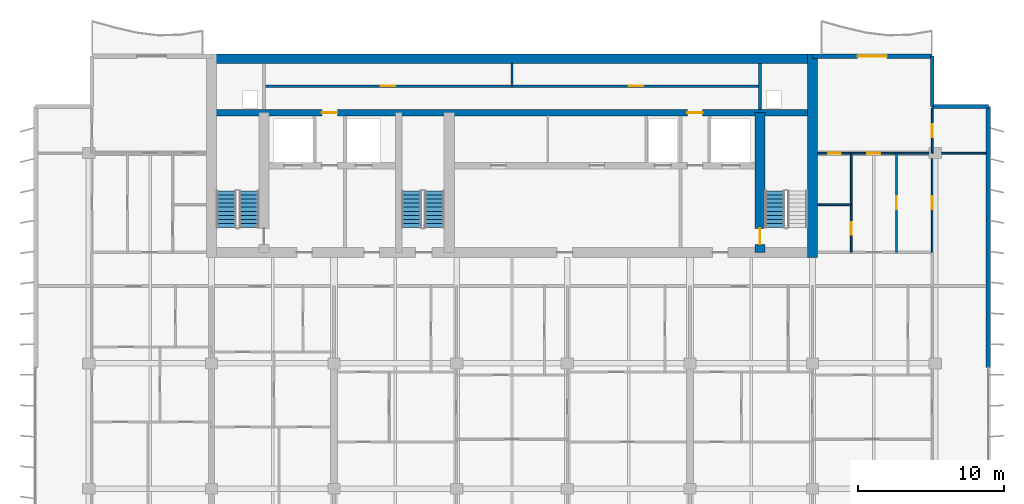
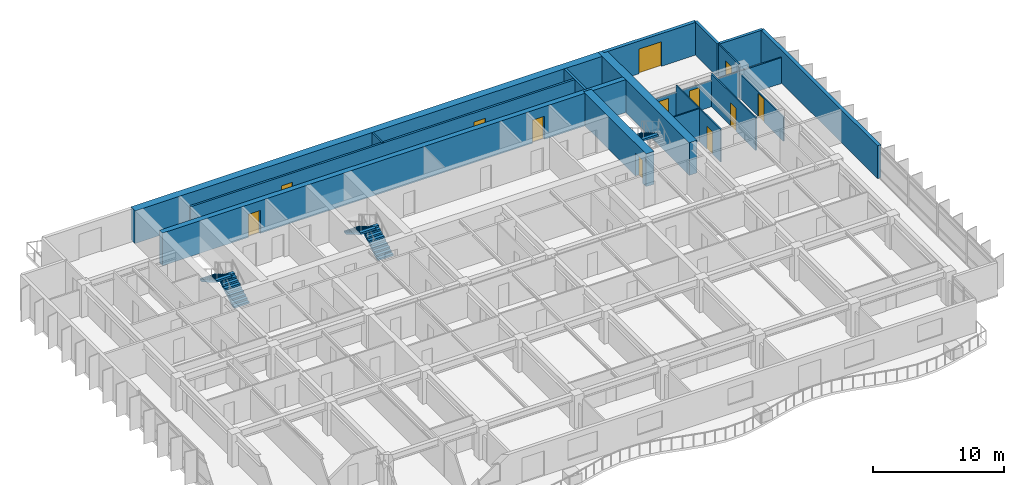
# One storey, part 11 of 16: 17 walls, 12 doors, 5 stair flights, 12 openings, 3 elements without a shape of their own.
"""IFC4 building model written with IfcOpenShell, lengths in metres."""

import ifcopenshell
import ifcopenshell.guid

model = None  # the IFC model being written
_history = None  # IfcOwnerHistory: only IFC2X3 demands one
_inside = {}  # id of a spatial element -> (the spatial element, [elements in it])
_under = {}  # id of a project, library or spatial element -> (it, [spatial elements below it])
_declared = {}  # id of a project -> (the project, [libraries it declares])
_typed = {}  # id of a type object -> (the type object, [elements of that type])
_made_of = {}  # id of a material, layer set ... -> (it, [elements and type objects made of it])


def new_model(schema):
    """Start an empty IFC model of exactly this schema.

    Asked for "IFC4X3", IfcOpenShell would pick the latest addendum, in which some entities
    have other attributes; the version numbers below select the first issue.
    IFC2X3 requires an IfcOwnerHistory on every rooted entity: one is made here for all.
    """
    global model, _history
    if schema == "IFC4X3":
        model = ifcopenshell.file(schema_version=(4, 3, 0, 0))
    else:
        model = ifcopenshell.file(schema=schema)
    _inside.clear()
    _under.clear()
    _declared.clear()
    _typed.clear()
    _made_of.clear()
    _history = None
    if model.schema == "IFC2X3":
        org = make("IfcOrganization", Name="unknown")
        user = make(
            "IfcPersonAndOrganization",
            ThePerson=make("IfcPerson", FamilyName="unknown"),
            TheOrganization=org,
        )
        app = make(
            "IfcApplication",
            ApplicationDeveloper=org,
            Version="unknown",
            ApplicationFullName="unknown",
            ApplicationIdentifier="unknown",
        )
        _history = make(
            "IfcOwnerHistory",
            OwningUser=user,
            OwningApplication=app,
            ChangeAction="ADDED",
            CreationDate=0,
        )
    return model


def make(cls, **values):
    """One entity of the class cls with the attributes given. An attribute that is None is left unset."""
    return model.create_entity(
        cls, **{name: value for name, value in values.items() if value is not None}
    )


def rooted(cls, **values):
    """An entity with a GlobalId (a new one), such as an element, a storey or a relation."""
    return make(cls, GlobalId=ifcopenshell.guid.new(), OwnerHistory=_history, **values)


def si_unit(unit_type, name, prefix=None):
    """IfcSIUnit, for example si_unit("LENGTHUNIT", "METRE", prefix="MILLI")."""
    return make("IfcSIUnit", UnitType=unit_type, Prefix=prefix, Name=name)


def assignment(units):
    """IfcUnitAssignment: the units of a project."""
    return None if units is None else make("IfcUnitAssignment", Units=units)


def point(xyz):
    """IfcCartesianPoint."""
    return None if xyz is None else make("IfcCartesianPoint", Coordinates=xyz)


def direction(xyz):
    """IfcDirection."""
    return None if xyz is None else make("IfcDirection", DirectionRatios=xyz)


def frame(location, z_axis=None, x_axis=None):
    """IfcAxis2Placement3D, a coordinate frame: its origin and axes. An axis left out is left unset."""
    return make(
        "IfcAxis2Placement3D",
        Location=point(location),
        Axis=direction(z_axis),
        RefDirection=direction(x_axis),
    )


def frame_2d(location, x_axis=None):
    """IfcAxis2Placement2D, a coordinate frame in the plane: its origin and x axis."""
    return make(
        "IfcAxis2Placement2D", Location=point(location), RefDirection=direction(x_axis)
    )


def origin():
    """The frame at (0, 0, 0) with its axes left unset."""
    return frame((0.0, 0.0, 0.0))


def place(relative_to, where):
    """IfcLocalPlacement: puts the frame where relative to a parent placement (None: the world)."""
    return make(
        "IfcLocalPlacement", PlacementRelTo=relative_to, RelativePlacement=where
    )


def context(
    kind, dimensions, precision=None, world=None, true_north=None, identifier=None
):
    """IfcGeometricRepresentationContext, for example the 3D "Model" context."""
    return make(
        "IfcGeometricRepresentationContext",
        ContextIdentifier=identifier,
        ContextType=kind,
        CoordinateSpaceDimension=dimensions,
        Precision=precision,
        WorldCoordinateSystem=world,
        TrueNorth=true_north,
    )


def subcontext(parent, identifier, kind, view, scale=None):
    """IfcGeometricRepresentationSubContext, for example "Body" below "Model"."""
    return make(
        "IfcGeometricRepresentationSubContext",
        ContextIdentifier=identifier,
        ContextType=kind,
        ParentContext=parent,
        TargetScale=scale,
        TargetView=view,
    )


def project(units=None, contexts=None):
    """IfcProject with its units and contexts."""
    return rooted(
        "IfcProject",
        Name="project",
        RepresentationContexts=contexts,
        UnitsInContext=assignment(units),
    )


def spatial(cls, under=None, at=None, **own):
    """A site, building, storey or space (cls), placed at a placement, below another one or the project."""
    s = rooted(cls, ObjectPlacement=at, **own)
    if under is not None:
        _under.setdefault(under.id(), (under, []))[1].append(s)
    return s


def polyline(points):
    """IfcPolyline through the points."""
    return make("IfcPolyline", Points=[point(p) for p in points])


def profile(cls, at=None, kind="AREA", **sizes):
    """A parametric profile (cls). Its sizes go by their IFC names, for example OverallWidth=200.0."""
    return make(cls, ProfileType=kind, Position=at, **sizes)


def rectangle(**sizes):
    """IfcRectangleProfileDef."""
    return profile("IfcRectangleProfileDef", **sizes)


def outline(outer, holes=None, kind="AREA"):
    """IfcArbitraryClosedProfileDef: a profile drawn as a closed curve; with holes, ...WithVoids."""
    if holes is None:
        return make("IfcArbitraryClosedProfileDef", ProfileType=kind, OuterCurve=outer)
    return make(
        "IfcArbitraryProfileDefWithVoids",
        ProfileType=kind,
        OuterCurve=outer,
        InnerCurves=holes,
    )


def extrude(swept, where, along, depth):
    """IfcExtrudedAreaSolid: the profile swept, set in the frame where, extruded along a direction by depth."""
    return make(
        "IfcExtrudedAreaSolid",
        SweptArea=swept,
        Position=where,
        ExtrudedDirection=direction(along),
        Depth=depth,
    )


def shape(context_of_items, identifier, shape_type, items):
    """IfcShapeRepresentation: the items that make up one representation, for example the "Body"."""
    return make(
        "IfcShapeRepresentation",
        ContextOfItems=context_of_items,
        RepresentationIdentifier=identifier,
        RepresentationType=shape_type,
        Items=items,
    )


def material(Name=None, Category=None):
    """IfcMaterial."""
    return make("IfcMaterial", Name=Name, Category=Category)


def layer(
    of_material, thickness, ventilated=None, Name=None, Category=None, Priority=None
):
    """IfcMaterialLayer: one layer of a wall or slab, of a material (None: an air gap)."""
    return make(
        "IfcMaterialLayer",
        Material=of_material,
        LayerThickness=thickness,
        IsVentilated=ventilated,
        Name=Name,
        Category=Category,
        Priority=Priority,
    )


def layer_set(layers, Name=None):
    """IfcMaterialLayerSet."""
    return make("IfcMaterialLayerSet", MaterialLayers=layers, LayerSetName=Name)


def made_of(thing, what):
    """Note that an element or type object is made of a material, layer set ...; save() writes the relation."""
    if what is not None:
        _made_of.setdefault(what.id(), (what, []))[1].append(thing)
    return thing


def type_object(cls, material=None, **own):
    """A type object (cls), such as IfcWallType, which elements share."""
    return made_of(rooted(cls, **own), material)


def element(
    cls,
    number,
    at=None,
    inside=None,
    cuts=None,
    type_object=None,
    material=None,
    context=None,
    identifier="Body",
    shape_type=None,
    held_by="IfcProductDefinitionShape",
    body=None,
    shapes=None,
    **own,
):
    """One element of the class cls, such as IfcWall. Its Tag is "e" and its number.

    at: its placement. inside: the storey or other place that contains it. cuts: it is an
    opening in that element (IfcRelVoidsElement). A single representation is given by context,
    identifier, shape_type and body (its items); several are given by shapes. held_by: the class
    of the entity that holds the representations. save() writes the other relations.
    """
    e = rooted(cls, Tag="e%d" % number, ObjectPlacement=at, **own)
    if body is not None:
        shapes = [shape(context, identifier, shape_type, body)]
    if shapes is not None:
        e.Representation = make(held_by, Representations=shapes)
    if inside is not None:
        _inside.setdefault(inside.id(), (inside, []))[1].append(e)
    if cuts is not None:
        rooted(
            "IfcRelVoidsElement", RelatingBuildingElement=cuts, RelatedOpeningElement=e
        )
    if type_object is not None:
        _typed.setdefault(type_object.id(), (type_object, []))[1].append(e)
    return made_of(e, material)


def fill(opening, filler):
    """IfcRelFillsElement: the door or window that sits in an opening."""
    return rooted(
        "IfcRelFillsElement",
        RelatingOpeningElement=opening,
        RelatedBuildingElement=filler,
    )


def aggregate(whole, parts):
    """IfcRelAggregates: a whole, such as a stair, and the parts it consists of."""
    return rooted("IfcRelAggregates", RelatingObject=whole, RelatedObjects=parts)


def save(model, path):
    """Write the relations noted so far, then the file.

    IfcRelAggregates (storeys below a building ...), IfcRelContainedInSpatialStructure (elements
    in a storey), IfcRelDefinesByType, IfcRelAssociatesMaterial and IfcRelDeclares: one each for
    every whole, place, type object, material and project.
    """
    for whole, parts in _under.values():
        aggregate(whole, parts)
    for where, things in _inside.values():
        rooted(
            "IfcRelContainedInSpatialStructure",
            RelatedElements=things,
            RelatingStructure=where,
        )
    for kind, things in _typed.values():
        rooted("IfcRelDefinesByType", RelatedObjects=things, RelatingType=kind)
    for what, things in _made_of.values():
        rooted("IfcRelAssociatesMaterial", RelatedObjects=things, RelatingMaterial=what)
    for by, libraries in _declared.values():
        rooted("IfcRelDeclares", RelatingContext=by, RelatedDefinitions=libraries)
    model.write(path)


model = new_model("IFC4")

# Units and contexts
model_context = context("Model", 3, precision=1e-05, world=origin(), true_north=direction((0.0, 1.0)))
body_context = subcontext(model_context, "Body", "Model", "MODEL_VIEW")
ifc_project = project(units=[si_unit("LENGTHUNIT", "METRE"), si_unit("AREAUNIT", "SQUARE_METRE"), si_unit("VOLUMEUNIT", "CUBIC_METRE"), si_unit("PLANEANGLEUNIT", "RADIAN"), si_unit("MASSUNIT", "GRAM", prefix="KILO")], contexts=[model_context])

# Site, building, storey
site_placement = place(None, origin())
site = spatial("IfcSite", under=ifc_project, at=site_placement, CompositionType="ELEMENT")
building_placement = place(site_placement, origin())
building = spatial("IfcBuilding", under=site, at=building_placement, Name="Caelmar Bay Residences", CompositionType="ELEMENT")
storey_placement = place(building_placement, frame((0.0, 0.0, 198.300048828125)))
storey = spatial("IfcBuildingStorey", under=building, at=storey_placement, Name="L55", CompositionType="ELEMENT", Elevation=198.300048828125)

# Wall
ifc_material_1 = material(Name="Concrete f'c 55 MPa (8,000 psi)", Category="concrete")
ifc_layer_1 = layer(ifc_material_1, 0.699951171875)
ifc_layer_set_1 = layer_set([ifc_layer_1], Name="Concrete f'c 55 MPa (8,000 psi)")
wall_type_1 = type_object("IfcWallType", Name="SW-COR-700", PredefinedType="SHEAR", material=ifc_layer_set_1)
wall_1_placement = place(storey_placement, frame((59.5, 36.64990234375, 0.0), z_axis=(0.0, 0.0, 1.0), x_axis=(0.0, 1.0, 0.0)))
element("IfcWall", 1, at=wall_1_placement, inside=storey, type_object=wall_type_1, Name="L55 Rear Core East Shear Wall", PredefinedType="SHEAR", context=body_context, shape_type="SweptSolid", body=[
    extrude(rectangle(XDim=13.9501953125, YDim=0.699951171875, at=frame_2d((6.97509765625, 0.0))), origin(), (0.0, 0.0, 1.0), 3.050048828125),
])

# Wall, opening, door
wall_2_placement = place(storey_placement, frame((55.89990234375, 37.0, 0.0), z_axis=(0.0, 0.0, 1.0), x_axis=(0.0, 1.0, 0.0)))
wall_2 = element("IfcWall", 2, at=wall_2_placement, inside=storey, type_object=wall_type_1, Name="L55 Core Structural Web Wall ST2W", PredefinedType="SHEAR", context=body_context, shape_type="SweptSolid", body=[
    extrude(rectangle(XDim=9.574951171875, YDim=0.699951171875, at=frame_2d((4.78759765625, 0.0))), origin(), (0.0, 0.0, 1.0), 3.050048828125),
])
opening_1_placement = place(wall_2_placement, frame((0.550048828125, 0.0, 0.0)))
opening_1 = element("IfcOpeningElement", 3, at=opening_1_placement, cuts=wall_2, Name="Opening D-L55-110", PredefinedType="OPENING", context=body_context, shape_type="SweptSolid", body=[
    extrude(rectangle(XDim=1.10009765625, YDim=2.14990234375, at=frame_2d((0.550048828125, 1.074951171875))), frame((0.0, 0.35986328125, 0.0), z_axis=(0.0, -1.0, 0.0), x_axis=(1.0, 0.0, 0.0)), (0.0, 0.0, 1.0), 0.719970703125),
])
ifc_material_2 = material(Name="Fire-rated steel and walnut architectural door assembly", Category="steel")
ifc_layer_2 = layer(ifc_material_2, 0.050048828125)
ifc_layer_set_2 = layer_set([ifc_layer_2], Name="Fire-rated steel and walnut architectural door assembly")
door_type_1 = type_object("IfcDoorType", Name="D-STAIR-1100", OperationType="NOTDEFINED", PredefinedType="DOOR", material=ifc_layer_set_2)
door_1_placement = place(opening_1_placement, origin())
door_1 = element("IfcDoor", 4, at=door_1_placement, inside=storey, type_object=door_type_1, Name="L55 Firefighting Lobby East Door", OperationType="SINGLE_SWING_RIGHT", OverallHeight=2.14990234375, OverallWidth=1.10009765625, PredefinedType="DOOR", context=body_context, shape_type="SweptSolid", body=[
    extrude(rectangle(XDim=1.10009765625, YDim=2.14990234375, at=frame_2d((0.550048828125, 1.074951171875))), frame((0.0, 0.02490234375, 0.0), z_axis=(0.0, -1.0, 0.0), x_axis=(1.0, 0.0, 0.0)), (0.0, 0.0, 1.0), 0.050048828125),
])
fill(opening_1, door_1)

# Wall
ifc_layer_3 = layer(ifc_material_1, 0.64990234375)
ifc_layer_set_3 = layer_set([ifc_layer_3], Name="Concrete f'c 55 MPa (8,000 psi)")
wall_type_2 = type_object("IfcWallType", Name="SW-CORN-650", PredefinedType="SHEAR", material=ifc_layer_set_3)
wall_3_placement = place(storey_placement, frame((17.949951171875, 50.27490234375, 0.0), z_axis=(0.0, 0.0, 1.0), x_axis=(1.0, 0.0, 0.0)))
element("IfcWall", 5, at=wall_3_placement, inside=storey, type_object=wall_type_2, Name="L55 Rear Core North Shear Wall", PredefinedType="SHEAR", context=body_context, shape_type="SweptSolid", body=[
    extrude(rectangle(XDim=41.900146484375, YDim=0.64990234375, at=frame_2d((20.9501953125, 0.0))), origin(), (0.0, 0.0, 1.0), 3.050048828125),
])

# Wall, openings, doors
ifc_material_3 = material(Name="Concrete f'c 70 MPa (10,000 psi)", Category="concrete")
ifc_layer_4 = layer(ifc_material_3, 0.449951171875)
ifc_layer_set_4 = layer_set([ifc_layer_4], Name="Concrete f'c 70 MPa (10,000 psi)")
wall_type_3 = type_object("IfcWallType", Name="SW-WEB-450", PredefinedType="SHEAR", material=ifc_layer_set_4)
wall_4_placement = place(storey_placement, frame((18.300048828125, 46.574951171875, 0.0), z_axis=(0.0, 0.0, 1.0), x_axis=(1.0, 0.0, 0.0)))
wall_4 = element("IfcWall", 6, at=wall_4_placement, inside=storey, type_object=wall_type_3, Name="L55 Core Structural Web Wall SRVS", PredefinedType="SHEAR", context=body_context, shape_type="SweptSolid", body=[
    extrude(rectangle(XDim=41.199951171875, YDim=0.449951171875, at=frame_2d((20.60009765625, 0.0))), origin(), (0.0, 0.0, 1.0), 3.050048828125),
])
opening_2_placement = place(wall_4_placement, frame((7.574951171875, 0.0, 0.0)))
opening_2 = element("IfcOpeningElement", 7, at=opening_2_placement, cuts=wall_4, Name="Opening D-L55-116", PredefinedType="OPENING", context=body_context, shape_type="SweptSolid", body=[
    extrude(rectangle(XDim=1.050048828125, YDim=2.14990234375, at=frame_2d((0.52490234375, 1.074951171875))), frame((0.0, 0.23486328125, 0.0), z_axis=(0.0, -1.0, 0.0), x_axis=(1.0, 0.0, 0.0)), (0.0, 0.0, 1.0), 0.469970703125),
])
opening_3_placement = place(wall_4_placement, frame((32.625, 0.0, 0.0)))
opening_3 = element("IfcOpeningElement", 8, at=opening_3_placement, cuts=wall_4, Name="Opening D-L55-117", PredefinedType="OPENING", context=body_context, shape_type="SweptSolid", body=[
    extrude(rectangle(XDim=1.050048828125, YDim=2.14990234375, at=frame_2d((0.52490234375, 1.074951171875))), frame((0.0, 0.23486328125, 0.0), z_axis=(0.0, -1.0, 0.0), x_axis=(1.0, 0.0, 0.0)), (0.0, 0.0, 1.0), 0.469970703125),
])
ifc_layer_5 = layer(ifc_material_2, 0.050048828125)
ifc_layer_set_5 = layer_set([ifc_layer_5], Name="Fire-rated steel and walnut architectural door assembly")
door_type_2 = type_object("IfcDoorType", Name="D-FSAE-1050", OperationType="NOTDEFINED", PredefinedType="DOOR", material=ifc_layer_set_5)
door_2_placement = place(opening_2_placement, origin())
door_2 = element("IfcDoor", 9, at=door_2_placement, inside=storey, type_object=door_type_2, Name="L55 Core Service Corridor Door", OperationType="SINGLE_SWING_RIGHT", OverallHeight=2.14990234375, OverallWidth=1.050048828125, PredefinedType="DOOR", context=body_context, shape_type="SweptSolid", body=[
    extrude(rectangle(XDim=1.050048828125, YDim=2.14990234375, at=frame_2d((0.52490234375, 1.074951171875))), frame((0.0, 0.02490234375, 0.0), z_axis=(0.0, -1.0, 0.0), x_axis=(1.0, 0.0, 0.0)), (0.0, 0.0, 1.0), 0.050048828125),
])
fill(opening_2, door_2)
door_3_placement = place(opening_3_placement, origin())
door_3 = element("IfcDoor", 10, at=door_3_placement, inside=storey, type_object=door_type_2, Name="L55 Core Service Corridor Door", OperationType="SINGLE_SWING_LEFT", OverallHeight=2.14990234375, OverallWidth=1.050048828125, PredefinedType="DOOR", context=body_context, shape_type="SweptSolid", body=[
    extrude(rectangle(XDim=1.050048828125, YDim=2.14990234375, at=frame_2d((0.52490234375, 1.074951171875))), frame((0.0, 0.02490234375, 0.0), z_axis=(0.0, -1.0, 0.0), x_axis=(1.0, 0.0, 0.0)), (0.0, 0.0, 1.0), 0.050048828125),
])
fill(opening_3, door_3)

ifc_material_4 = material(Name="Double-stud acoustic fire-rated gypsum partition 180 mm")
ifc_layer_6 = layer(ifc_material_4, 0.179931640625)
ifc_layer_set_6 = layer_set([ifc_layer_6], Name="Double-stud acoustic fire-rated gypsum partition 180 mm")
wall_type_4 = type_object("IfcWallType", Name="W-COR-200", PredefinedType="PARTITIONING", material=ifc_layer_set_6)
wall_5_placement = place(storey_placement, frame((21.89990234375, 48.39990234375, 0.0), z_axis=(0.0, 0.0, 1.0), x_axis=(1.0, 0.0, 0.0)))
wall_5 = element("IfcWall", 11, at=wall_5_placement, inside=storey, type_object=wall_type_4, Name="L55 Partition Wall H080", PredefinedType="PARTITIONING", context=body_context, shape_type="SweptSolid", body=[
    extrude(rectangle(XDim=34.0, YDim=0.179931640625, at=frame_2d((17.0, 0.0))), origin(), (0.0, 0.0, 1.0), 3.050048828125),
])
opening_4_placement = place(wall_5_placement, frame((8.0, 0.0, 0.0)))
opening_4 = element("IfcOpeningElement", 12, at=opening_4_placement, cuts=wall_5, Name="Opening D-L55-118", PredefinedType="OPENING", context=body_context, shape_type="SweptSolid", body=[
    extrude(rectangle(XDim=1.0, YDim=2.199951171875, at=frame_2d((0.5, 1.10009765625))), frame((0.0, 0.099853515625, 0.0), z_axis=(0.0, -1.0, 0.0), x_axis=(1.0, 0.0, 0.0)), (0.0, 0.0, 1.0), 0.199951171875),
])
opening_5_placement = place(wall_5_placement, frame((25.0, 0.0, 0.0)))
opening_5 = element("IfcOpeningElement", 13, at=opening_5_placement, cuts=wall_5, Name="Opening D-L55-119", PredefinedType="OPENING", context=body_context, shape_type="SweptSolid", body=[
    extrude(rectangle(XDim=1.0, YDim=2.199951171875, at=frame_2d((0.5, 1.10009765625))), frame((0.0, 0.099853515625, 0.0), z_axis=(0.0, -1.0, 0.0), x_axis=(1.0, 0.0, 0.0)), (0.0, 0.0, 1.0), 0.199951171875),
])
ifc_layer_7 = layer(ifc_material_2, 0.050048828125)
ifc_layer_set_7 = layer_set([ifc_layer_7], Name="Fire-rated steel and walnut architectural door assembly")
door_type_3 = type_object("IfcDoorType", Name="D-UNIT-1000", OperationType="NOTDEFINED", PredefinedType="DOOR", material=ifc_layer_set_7)
door_4_placement = place(opening_4_placement, origin())
door_4 = element("IfcDoor", 14, at=door_4_placement, inside=storey, type_object=door_type_3, Name="L55 Building Management Office Door", OperationType="SINGLE_SWING_RIGHT", OverallHeight=2.199951171875, OverallWidth=1.0, PredefinedType="DOOR", context=body_context, shape_type="SweptSolid", body=[
    extrude(rectangle(XDim=1.0, YDim=2.199951171875, at=frame_2d((0.5, 1.10009765625))), frame((0.0, 0.02490234375, 0.0), z_axis=(0.0, -1.0, 0.0), x_axis=(1.0, 0.0, 0.0)), (0.0, 0.0, 1.0), 0.050048828125),
])
fill(opening_4, door_4)
door_5_placement = place(opening_5_placement, origin())
door_5 = element("IfcDoor", 15, at=door_5_placement, inside=storey, type_object=door_type_3, Name="L55 Concierge Operations Office Door", OperationType="SINGLE_SWING_LEFT", OverallHeight=2.199951171875, OverallWidth=1.0, PredefinedType="DOOR", context=body_context, shape_type="SweptSolid", body=[
    extrude(rectangle(XDim=1.0, YDim=2.199951171875, at=frame_2d((0.5, 1.10009765625))), frame((0.0, 0.02490234375, 0.0), z_axis=(0.0, -1.0, 0.0), x_axis=(1.0, 0.0, 0.0)), (0.0, 0.0, 1.0), 0.050048828125),
])
fill(opening_5, door_5)

# Walls
ifc_material_5 = material(Name="Precast concrete f'c 40 MPa (6,000 psi)", Category="concrete")
ifc_layer_8 = layer(ifc_material_5, 0.25)
ifc_layer_set_8 = layer_set([ifc_layer_8], Name="Precast concrete f'c 40 MPa (6,000 psi)")
wall_type_5 = type_object("IfcWallType", Name="W-EXT-250", PredefinedType="ELEMENTEDWALL", material=ifc_layer_set_8)
wall_6_placement = place(storey_placement, frame((67.699951171875, 50.449951171875, 0.0), z_axis=(0.0, 0.0, 1.0), x_axis=(0.0, -1.0, 0.0)))
element("IfcWall", 16, at=wall_6_placement, inside=storey, type_object=wall_type_5, Name="L55 NNE-V Notch Wall", PredefinedType="ELEMENTEDWALL", context=body_context, shape_type="SweptSolid", body=[
    extrude(rectangle(XDim=3.449951171875, YDim=0.25, at=frame_2d((1.72509765625, 0.0))), origin(), (0.0, 0.0, 1.0), 3.050048828125),
])
wall_7_placement = place(storey_placement, frame((67.699951171875, 47.0, 0.0), z_axis=(0.0, 0.0, 1.0), x_axis=(1.0, 0.0, 0.0)))
element("IfcWall", 17, at=wall_7_placement, inside=storey, type_object=wall_type_5, Name="L55 NNE-H Notch Wall", PredefinedType="ELEMENTEDWALL", context=body_context, shape_type="SweptSolid", body=[
    extrude(rectangle(XDim=3.85009765625, YDim=0.25, at=frame_2d((1.925048828125, 0.0))), origin(), (0.0, 0.0, 1.0), 3.050048828125),
])
ifc_layer_9 = layer(ifc_material_5, 0.300048828125)
ifc_layer_set_9 = layer_set([ifc_layer_9], Name="Precast concrete f'c 40 MPa (6,000 psi)")
wall_type_6 = type_object("IfcWallType", Name="W-EXT-300", PredefinedType="STANDARD", material=ifc_layer_set_9)
wall_8_placement = place(storey_placement, frame((71.550048828125, 47.0, 0.0), z_axis=(0.0, 0.0, 1.0), x_axis=(0.0, -1.0, 0.0)))
element("IfcWall", 18, at=wall_8_placement, inside=storey, type_object=wall_type_6, Name="L55 East Rear Exterior Wall", PredefinedType="STANDARD", context=body_context, shape_type="SweptSolid", body=[
    extrude(rectangle(XDim=17.89990234375, YDim=0.300048828125, at=frame_2d((8.949951171875, 0.0))), origin(), (0.0, 0.0, 1.0), 3.050048828125),
])

# Wall, opening, door
wall_9_placement = place(storey_placement, frame((59.5, 50.449951171875, 0.0), z_axis=(0.0, 0.0, 1.0), x_axis=(1.0, 0.0, 0.0)))
wall_9 = element("IfcWall", 19, at=wall_9_placement, inside=storey, type_object=wall_type_6, Name="L55 North-East Wing Exterior Wall", PredefinedType="STANDARD", context=body_context, shape_type="SweptSolid", body=[
    extrude(rectangle(XDim=8.199951171875, YDim=0.300048828125, at=frame_2d((4.10009765625, 0.0))), origin(), (0.0, 0.0, 1.0), 3.050048828125),
])
opening_6_placement = place(wall_9_placement, frame((3.10009765625, 0.0, 0.0)))
opening_6 = element("IfcOpeningElement", 20, at=opening_6_placement, cuts=wall_9, Name="Opening L55-BDNE", PredefinedType="OPENING", context=body_context, shape_type="SweptSolid", body=[
    extrude(rectangle(XDim=2.0, YDim=2.300048828125, at=frame_2d((1.0, 1.14990234375))), frame((0.0, 0.159912109375, 0.0), z_axis=(0.0, -1.0, 0.0), x_axis=(1.0, 0.0, 0.0)), (0.0, 0.0, 1.0), 0.320068359375),
])
ifc_material_6 = material(Name="Anodised bronze thermally broken sliding glass door", Category="glass")
ifc_layer_10 = layer(ifc_material_6, 0.050048828125)
ifc_layer_set_10 = layer_set([ifc_layer_10], Name="Anodised bronze thermally broken sliding glass door")
door_type_4 = type_object("IfcDoorType", Name="D-BAL-2000", OperationType="DOUBLE_DOOR_SLIDING", PredefinedType="DOOR", material=ifc_layer_set_10)
door_6_placement = place(opening_6_placement, origin())
door_6 = element("IfcDoor", 21, at=door_6_placement, inside=storey, type_object=door_type_4, Name="L55 North-East Balcony Door", OperationType="DOUBLE_DOOR_SLIDING", OverallHeight=2.300048828125, OverallWidth=2.0, PredefinedType="DOOR", context=body_context, shape_type="SweptSolid", body=[
    extrude(rectangle(XDim=2.0, YDim=2.300048828125, at=frame_2d((1.0, 1.14990234375))), frame((0.0, 0.02490234375, 0.0), z_axis=(0.0, -1.0, 0.0), x_axis=(1.0, 0.0, 0.0)), (0.0, 0.0, 1.0), 0.050048828125),
])
fill(opening_6, door_6)

# Wall
ifc_material_7 = material(Name="Fire-rated masonry and gypsum shaftliner assembly 200 mm", Category="masonry")
ifc_layer_11 = layer(ifc_material_7, 0.199951171875)
ifc_layer_set_11 = layer_set([ifc_layer_11], Name="Fire-rated masonry and gypsum shaftliner assembly 200 mm")
wall_type_7 = type_object("IfcWallType", Name="W-FSAE-200", PredefinedType="PARTITIONING", material=ifc_layer_set_11)
wall_10_placement = place(storey_placement, frame((55.89990234375, 46.794921875, 0.0), z_axis=(0.0, 0.0, 1.0), x_axis=(0.0, 1.0, 0.0)))
element("IfcWall", 22, at=wall_10_placement, inside=storey, type_object=wall_type_7, Name="L55 Partition Wall V042", PredefinedType="PARTITIONING", context=body_context, shape_type="SweptSolid", body=[
    extrude(rectangle(XDim=3.16015625, YDim=0.199951171875, at=frame_2d((1.580078125, 0.0))), origin(), (0.0, 0.0, 1.0), 3.050048828125),
])

# Wall, opening, door
ifc_material_8 = material(Name="Anodised bronze framed acoustic sliding study partition 100 mm")
ifc_layer_12 = layer(ifc_material_8, 0.10009765625)
ifc_layer_set_12 = layer_set([ifc_layer_12], Name="Anodised bronze framed acoustic sliding study partition 100 mm")
wall_type_8 = type_object("IfcWallType", Name="W-MOV-100", PredefinedType="MOVABLE", material=ifc_layer_set_12)
wall_11_placement = place(storey_placement, frame((67.699951171875, 37.0048828125, 0.0), z_axis=(0.0, 0.0, 1.0), x_axis=(0.0, 1.0, 0.0)))
wall_11 = element("IfcWall", 23, at=wall_11_placement, inside=storey, type_object=wall_type_8, Name="L55 Partition Wall V051", PredefinedType="MOVABLE", context=body_context, shape_type="SweptSolid", body=[
    extrude(rectangle(XDim=6.795166015625, YDim=0.10009765625, at=frame_2d((3.3974609375, 0.0))), origin(), (0.0, 0.0, 1.0), 2.262939453125),
])
opening_7_placement = place(wall_11_placement, frame((2.947509765625, 0.0, 0.0)))
opening_7 = element("IfcOpeningElement", 24, at=opening_7_placement, cuts=wall_11, Name="Opening D-L55-173", PredefinedType="OPENING", context=body_context, shape_type="SweptSolid", body=[
    extrude(rectangle(XDim=0.89990234375, YDim=2.14990234375, at=frame_2d((0.449951171875, 1.074951171875))), frame((0.0, 0.06005859375, 0.0), z_axis=(0.0, -1.0, 0.0), x_axis=(1.0, 0.0, 0.0)), (0.0, 0.0, 1.0), 0.1201171875),
])
ifc_material_9 = material(Name="Solid walnut timber interior door leaf and frame", Category="wood")
ifc_layer_13 = layer(ifc_material_9, 0.050048828125)
ifc_layer_set_13 = layer_set([ifc_layer_13], Name="Solid walnut timber interior door leaf and frame")
door_type_5 = type_object("IfcDoorType", Name="D-ROOM-900", OperationType="NOTDEFINED", PredefinedType="DOOR", material=ifc_layer_set_13)
door_7_placement = place(opening_7_placement, origin())
door_7 = element("IfcDoor", 25, at=door_7_placement, inside=storey, type_object=door_type_5, Name="L55 Residence EA Sun Study Door", OperationType="SINGLE_SWING_LEFT", OverallHeight=2.14990234375, OverallWidth=0.89990234375, PredefinedType="DOOR", context=body_context, shape_type="SweptSolid", body=[
    extrude(rectangle(XDim=0.89990234375, YDim=2.14990234375, at=frame_2d((0.449951171875, 1.074951171875))), frame((0.0, 0.02490234375, 0.0), z_axis=(0.0, -1.0, 0.0), x_axis=(1.0, 0.0, 0.0)), (0.0, 0.0, 1.0), 0.050048828125),
])
fill(opening_7, door_7)

# Wall
ifc_material_10 = material(Name="Acoustic metal-stud gypsum partition 120 mm")
ifc_layer_14 = layer(ifc_material_10, 0.1201171875)
ifc_layer_set_14 = layer_set([ifc_layer_14], Name="Acoustic metal-stud gypsum partition 120 mm")
wall_type_9 = type_object("IfcWallType", Name="W-PRT-120", PredefinedType="PARTITIONING", material=ifc_layer_set_14)
wall_12_placement = place(storey_placement, frame((38.89990234375, 48.39990234375, 0.0), z_axis=(0.0, 0.0, 1.0), x_axis=(0.0, 1.0, 0.0)))
element("IfcWall", 26, at=wall_12_placement, inside=storey, type_object=wall_type_9, Name="L55 Partition Wall V028", PredefinedType="PARTITIONING", context=body_context, shape_type="SweptSolid", body=[
    extrude(rectangle(XDim=1.55517578125, YDim=0.1201171875, at=frame_2d((0.777587890625, 0.0))), origin(), (0.0, 0.0, 1.0), 3.050048828125),
])

# Wall, opening, door
wall_13_placement = place(storey_placement, frame((62.14990234375, 37.0, 0.0), z_axis=(0.0, 0.0, 1.0), x_axis=(0.0, 1.0, 0.0)))
wall_13 = element("IfcWall", 27, at=wall_13_placement, inside=storey, type_object=wall_type_9, Name="L55 Partition Wall V046", PredefinedType="PARTITIONING", context=body_context, shape_type="SweptSolid", body=[
    extrude(rectangle(XDim=6.800048828125, YDim=0.1201171875, at=frame_2d((3.39990234375, 0.0))), origin(), (0.0, 0.0, 1.0), 3.050048828125),
])
opening_8_placement = place(wall_13_placement, frame((1.20703125, 0.0, 0.0)))
opening_8 = element("IfcOpeningElement", 28, at=opening_8_placement, cuts=wall_13, Name="Opening D-L55-171", PredefinedType="OPENING", context=body_context, shape_type="SweptSolid", body=[
    extrude(rectangle(XDim=0.85009765625, YDim=2.10009765625, at=frame_2d((0.425048828125, 1.050048828125))), frame((0.0, 0.070068359375, 0.0), z_axis=(0.0, -1.0, 0.0), x_axis=(1.0, 0.0, 0.0)), (0.0, 0.0, 1.0), 0.14013671875),
])
ifc_layer_15 = layer(ifc_material_9, 0.050048828125)
ifc_layer_set_15 = layer_set([ifc_layer_15], Name="Solid walnut timber interior door leaf and frame")
door_type_6 = type_object("IfcDoorType", Name="D-BATH-850", OperationType="NOTDEFINED", PredefinedType="DOOR", material=ifc_layer_set_15)
door_8_placement = place(opening_8_placement, origin())
door_8 = element("IfcDoor", 29, at=door_8_placement, inside=storey, type_object=door_type_6, Name="L55 Residence EA Walk-In Closet Door", OperationType="SINGLE_SWING_LEFT", OverallHeight=2.10009765625, OverallWidth=0.85009765625, PredefinedType="DOOR", context=body_context, shape_type="SweptSolid", body=[
    extrude(rectangle(XDim=0.85009765625, YDim=2.10009765625, at=frame_2d((0.425048828125, 1.050048828125))), frame((0.0, 0.02490234375, 0.0), z_axis=(0.0, -1.0, 0.0), x_axis=(1.0, 0.0, 0.0)), (0.0, 0.0, 1.0), 0.050048828125),
])
fill(opening_8, door_8)

wall_14_placement = place(storey_placement, frame((65.258056640625, 37.0, 0.0), z_axis=(0.0, 0.0, 1.0), x_axis=(0.0, 1.0, 0.0)))
wall_14 = element("IfcWall", 30, at=wall_14_placement, inside=storey, type_object=wall_type_9, Name="L55 Partition Wall V047", PredefinedType="PARTITIONING", context=body_context, shape_type="SweptSolid", body=[
    extrude(rectangle(XDim=6.800048828125, YDim=0.1201171875, at=frame_2d((3.39990234375, 0.0))), origin(), (0.0, 0.0, 1.0), 3.050048828125),
])
opening_9_placement = place(wall_14_placement, frame((2.949951171875, 0.0, 0.0)))
opening_9 = element("IfcOpeningElement", 31, at=opening_9_placement, cuts=wall_14, Name="Opening D-L55-168", PredefinedType="OPENING", context=body_context, shape_type="SweptSolid", body=[
    extrude(rectangle(XDim=0.89990234375, YDim=2.14990234375, at=frame_2d((0.449951171875, 1.074951171875))), frame((0.0, 0.070068359375, 0.0), z_axis=(0.0, -1.0, 0.0), x_axis=(1.0, 0.0, 0.0)), (0.0, 0.0, 1.0), 0.14013671875),
])
door_9_placement = place(opening_9_placement, origin())
door_9 = element("IfcDoor", 32, at=door_9_placement, inside=storey, type_object=door_type_5, Name="L55 Residence EA Dining Room Door", OperationType="SINGLE_SWING_RIGHT", OverallHeight=2.14990234375, OverallWidth=0.89990234375, PredefinedType="DOOR", context=body_context, shape_type="SweptSolid", body=[
    extrude(rectangle(XDim=0.89990234375, YDim=2.14990234375, at=frame_2d((0.449951171875, 1.074951171875))), frame((0.0, 0.02490234375, 0.0), z_axis=(0.0, -1.0, 0.0), x_axis=(1.0, 0.0, 0.0)), (0.0, 0.0, 1.0), 0.050048828125),
])
fill(opening_9, door_9)

wall_15_placement = place(storey_placement, frame((67.699951171875, 43.804931640625, 0.0), z_axis=(0.0, 0.0, 1.0), x_axis=(0.0, 1.0, 0.0)))
wall_15 = element("IfcWall", 33, at=wall_15_placement, inside=storey, type_object=wall_type_9, Name="L55 Partition Wall V052", PredefinedType="PARTITIONING", context=body_context, shape_type="SweptSolid", body=[
    extrude(rectangle(XDim=3.074951171875, YDim=0.1201171875, at=frame_2d((1.53759765625, 0.0))), origin(), (0.0, 0.0, 1.0), 3.050048828125),
])
opening_10_placement = place(wall_15_placement, frame((1.08740234375, 0.0, 0.0)))
opening_10 = element("IfcOpeningElement", 34, at=opening_10_placement, cuts=wall_15, Name="Opening D-L55-174", PredefinedType="OPENING", context=body_context, shape_type="SweptSolid", body=[
    extrude(rectangle(XDim=0.89990234375, YDim=2.14990234375, at=frame_2d((0.449951171875, 1.074951171875))), frame((0.0, 0.070068359375, 0.0), z_axis=(0.0, -1.0, 0.0), x_axis=(1.0, 0.0, 0.0)), (0.0, 0.0, 1.0), 0.14013671875),
])
door_10_placement = place(opening_10_placement, origin())
door_10 = element("IfcDoor", 35, at=door_10_placement, inside=storey, type_object=door_type_5, Name="L55 Residence EA North Sitting Alcove Door", OperationType="SINGLE_SWING_RIGHT", OverallHeight=2.14990234375, OverallWidth=0.89990234375, PredefinedType="DOOR", context=body_context, shape_type="SweptSolid", body=[
    extrude(rectangle(XDim=0.89990234375, YDim=2.14990234375, at=frame_2d((0.449951171875, 1.074951171875))), frame((0.0, 0.02490234375, 0.0), z_axis=(0.0, -1.0, 0.0), x_axis=(1.0, 0.0, 0.0)), (0.0, 0.0, 1.0), 0.050048828125),
])
fill(opening_10, door_10)

# Wall
wall_16_placement = place(storey_placement, frame((59.844970703125, 40.263916015625, 0.0), z_axis=(0.0, 0.0, 1.0), x_axis=(1.0, 0.0, 0.0)))
element("IfcWall", 36, at=wall_16_placement, inside=storey, type_object=wall_type_9, Name="L55 Partition Wall H077", PredefinedType="PARTITIONING", context=body_context, shape_type="SweptSolid", body=[
    extrude(rectangle(XDim=2.304931640625, YDim=0.1201171875, at=frame_2d((1.15234375, 0.0))), origin(), (0.0, 0.0, 1.0), 3.050048828125),
])

# Wall, openings, doors
wall_17_placement = place(storey_placement, frame((59.844970703125, 43.800048828125, 0.0), z_axis=(0.0, 0.0, 1.0), x_axis=(1.0, 0.0, 0.0)))
wall_17 = element("IfcWall", 37, at=wall_17_placement, inside=storey, type_object=wall_type_9, Name="L55 Partition Wall H079", PredefinedType="PARTITIONING", context=body_context, shape_type="SweptSolid", body=[
    extrude(rectangle(XDim=11.56005859375, YDim=0.1201171875, at=frame_2d((5.780029296875, 0.0))), origin(), (0.0, 0.0, 1.0), 2.41796875),
])
opening_11_placement = place(wall_17_placement, frame((3.408935546875, 0.0, 0.0)))
opening_11 = element("IfcOpeningElement", 38, at=opening_11_placement, cuts=wall_17, Name="Opening D-L55-170", PredefinedType="OPENING", context=body_context, shape_type="SweptSolid", body=[
    extrude(rectangle(XDim=0.89990234375, YDim=2.14990234375, at=frame_2d((0.449951171875, 1.074951171875))), frame((0.0, 0.070068359375, 0.0), z_axis=(0.0, -1.0, 0.0), x_axis=(1.0, 0.0, 0.0)), (0.0, 0.0, 1.0), 0.14013671875),
])
opening_12_placement = place(wall_17_placement, frame((0.7275390625, 0.0, 0.0)))
opening_12 = element("IfcOpeningElement", 39, at=opening_12_placement, cuts=wall_17, Name="Opening D-L55-172", PredefinedType="OPENING", context=body_context, shape_type="SweptSolid", body=[
    extrude(rectangle(XDim=0.85009765625, YDim=2.10009765625, at=frame_2d((0.425048828125, 1.050048828125))), frame((0.0, 0.070068359375, 0.0), z_axis=(0.0, -1.0, 0.0), x_axis=(1.0, 0.0, 0.0)), (0.0, 0.0, 1.0), 0.14013671875),
])
door_11_placement = place(opening_12_placement, origin())
door_11 = element("IfcDoor", 40, at=door_11_placement, inside=storey, type_object=door_type_6, Name="L55 Residence EA Bathroom Door", OperationType="SINGLE_SWING_RIGHT", OverallHeight=2.10009765625, OverallWidth=0.85009765625, PredefinedType="DOOR", context=body_context, shape_type="SweptSolid", body=[
    extrude(rectangle(XDim=0.85009765625, YDim=2.10009765625, at=frame_2d((0.425048828125, 1.050048828125))), frame((0.0, 0.02490234375, 0.0), z_axis=(0.0, -1.0, 0.0), x_axis=(1.0, 0.0, 0.0)), (0.0, 0.0, 1.0), 0.050048828125),
])
fill(opening_12, door_11)
door_12_placement = place(opening_11_placement, origin())
door_12 = element("IfcDoor", 41, at=door_12_placement, inside=storey, type_object=door_type_5, Name="L55 Residence EA Studio Living and Sleeping Room Door", OperationType="SINGLE_SWING_RIGHT", OverallHeight=2.14990234375, OverallWidth=0.89990234375, PredefinedType="DOOR", context=body_context, shape_type="SweptSolid", body=[
    extrude(rectangle(XDim=0.89990234375, YDim=2.14990234375, at=frame_2d((0.449951171875, 1.074951171875))), frame((0.0, 0.02490234375, 0.0), z_axis=(0.0, -1.0, 0.0), x_axis=(1.0, 0.0, 0.0)), (0.0, 0.0, 1.0), 0.050048828125),
])
fill(opening_11, door_12)

# Stair, stair flights
ifc_material_11 = material(Name="Concrete f'c 40 MPa (6,000 psi)", Category="concrete")
stair_type = type_object("IfcStairType", Name="ST-TYP-165", PredefinedType="HALF_TURN_STAIR", material=ifc_material_11)
stair_1_placement = place(storey_placement, origin())
stair_1 = element("IfcStair", 42, at=stair_1_placement, inside=storey, type_object=stair_type, Name="L55 West Smokeproof Exit Stair ST1", PredefinedType="HALF_TURN_STAIR")
stair_flight_type = type_object("IfcStairFlightType", Name="STF-1350", PredefinedType="STRAIGHT", material=ifc_material_11)
stair_flight_1_placement = place(storey_placement, frame((20.875, 38.699951171875, 0.0), z_axis=(0.0, 0.0, 1.0), x_axis=(0.0, 1.0, 0.0)))
stair_flight_1 = element("IfcStairFlight", 43, at=stair_flight_1_placement, type_object=stair_flight_type, Name="ST1 flight 1", NumberOfRisers=10, NumberOfTreads=9, PredefinedType="STRAIGHT", RiserHeight=0.165, TreadLength=0.28, context=body_context, shape_type="SweptSolid", body=[
    extrude(outline(polyline([(0.0, 0.0), (0.0, 0.1650390625), (0.280029296875, 0.1650390625), (0.280029296875, 0.330078125), (0.56005859375, 0.330078125), (0.56005859375, 0.4951171875), (0.840087890625, 0.4951171875), (0.840087890625, 0.659912109375), (1.1201171875, 0.659912109375), (1.1201171875, 0.824951171875), (1.39990234375, 0.824951171875), (1.39990234375, 0.989990234375), (1.679931640625, 0.989990234375), (1.679931640625, 1.155029296875), (1.9599609375, 1.155029296875), (1.9599609375, 1.320068359375), (2.239990234375, 1.320068359375), (2.239990234375, 1.485107421875), (2.52001953125, 1.485107421875), (2.52001953125, 1.64990234375), (2.52001953125, 1.31103515625), (0.295166015625, 0.0), (0.0, 0.0)])), frame((0.0, 0.675048828125, 0.0), z_axis=(0.0, -1.0, 0.0), x_axis=(1.0, 0.0, 0.0)), (0.0, 0.0, 1.0), 1.35009765625),
])
stair_flight_2_placement = place(storey_placement, frame((19.324951171875, 41.219970703125, 1.64990234375), z_axis=(0.0, 0.0, 1.0), x_axis=(0.0, -1.0, 0.0)))
stair_flight_2 = element("IfcStairFlight", 44, at=stair_flight_2_placement, type_object=stair_flight_type, Name="ST1 flight 2", NumberOfRisers=10, NumberOfTreads=9, PredefinedType="STRAIGHT", RiserHeight=0.165, TreadLength=0.28, context=body_context, shape_type="SweptSolid", body=[
    extrude(outline(polyline([(0.0, 0.0), (0.0, 0.1650390625), (0.280029296875, 0.1650390625), (0.280029296875, 0.330078125), (0.56005859375, 0.330078125), (0.56005859375, 0.4951171875), (0.840087890625, 0.4951171875), (0.840087890625, 0.659912109375), (1.1201171875, 0.659912109375), (1.1201171875, 0.824951171875), (1.39990234375, 0.824951171875), (1.39990234375, 0.989990234375), (1.679931640625, 0.989990234375), (1.679931640625, 1.155029296875), (1.9599609375, 1.155029296875), (1.9599609375, 1.320068359375), (2.239990234375, 1.320068359375), (2.239990234375, 1.485107421875), (2.52001953125, 1.485107421875), (2.52001953125, 1.64990234375), (2.52001953125, 1.31103515625), (0.295166015625, 0.0), (0.0, 0.0)])), frame((0.0, 0.675048828125, 0.0), z_axis=(0.0, -1.0, 0.0), x_axis=(1.0, 0.0, 0.0)), (0.0, 0.0, 1.0), 1.35009765625),
])
aggregate(stair_1, [stair_flight_1, stair_flight_2])

# Stair, stair flight
stair_2_placement = place(storey_placement, origin())
stair_2 = element("IfcStair", 45, at=stair_2_placement, inside=storey, type_object=stair_type, Name="L55 East Smokeproof Exit Stair ST2", PredefinedType="HALF_TURN_STAIR")
stair_flight_3_placement = place(storey_placement, frame((56.925048828125, 41.219970703125, 1.64990234375), z_axis=(0.0, 0.0, 1.0), x_axis=(0.0, -1.0, 0.0)))
stair_flight_3 = element("IfcStairFlight", 46, at=stair_flight_3_placement, type_object=stair_flight_type, Name="ST2 flight 2", NumberOfRisers=10, NumberOfTreads=9, PredefinedType="STRAIGHT", RiserHeight=0.165, TreadLength=0.28, context=body_context, shape_type="SweptSolid", body=[
    extrude(outline(polyline([(0.0, 0.0), (0.0, 0.1650390625), (0.280029296875, 0.1650390625), (0.280029296875, 0.330078125), (0.56005859375, 0.330078125), (0.56005859375, 0.4951171875), (0.840087890625, 0.4951171875), (0.840087890625, 0.659912109375), (1.1201171875, 0.659912109375), (1.1201171875, 0.824951171875), (1.39990234375, 0.824951171875), (1.39990234375, 0.989990234375), (1.679931640625, 0.989990234375), (1.679931640625, 1.155029296875), (1.9599609375, 1.155029296875), (1.9599609375, 1.320068359375), (2.239990234375, 1.320068359375), (2.239990234375, 1.485107421875), (2.52001953125, 1.485107421875), (2.52001953125, 1.64990234375), (2.52001953125, 1.31103515625), (0.295166015625, 0.0), (0.0, 0.0)])), frame((0.0, 0.675048828125, 0.0), z_axis=(0.0, -1.0, 0.0), x_axis=(1.0, 0.0, 0.0)), (0.0, 0.0, 1.0), 1.35009765625),
])
aggregate(stair_2, [stair_flight_3])

# Stair, stair flights
stair_3_placement = place(storey_placement, origin())
stair_3 = element("IfcStair", 47, at=stair_3_placement, inside=storey, type_object=stair_type, Name="L55 Central Smokeproof Exit Stair ST3", PredefinedType="HALF_TURN_STAIR")
stair_flight_4_placement = place(storey_placement, frame((33.574951171875, 38.699951171875, 0.0), z_axis=(0.0, 0.0, 1.0), x_axis=(0.0, 1.0, 0.0)))
stair_flight_4 = element("IfcStairFlight", 48, at=stair_flight_4_placement, type_object=stair_flight_type, Name="ST3 flight 1", NumberOfRisers=10, NumberOfTreads=9, PredefinedType="STRAIGHT", RiserHeight=0.165, TreadLength=0.28, context=body_context, shape_type="SweptSolid", body=[
    extrude(outline(polyline([(0.0, 0.0), (0.0, 0.1650390625), (0.280029296875, 0.1650390625), (0.280029296875, 0.330078125), (0.56005859375, 0.330078125), (0.56005859375, 0.4951171875), (0.840087890625, 0.4951171875), (0.840087890625, 0.659912109375), (1.1201171875, 0.659912109375), (1.1201171875, 0.824951171875), (1.39990234375, 0.824951171875), (1.39990234375, 0.989990234375), (1.679931640625, 0.989990234375), (1.679931640625, 1.155029296875), (1.9599609375, 1.155029296875), (1.9599609375, 1.320068359375), (2.239990234375, 1.320068359375), (2.239990234375, 1.485107421875), (2.52001953125, 1.485107421875), (2.52001953125, 1.64990234375), (2.52001953125, 1.31103515625), (0.295166015625, 0.0), (0.0, 0.0)])), frame((0.0, 0.675048828125, 0.0), z_axis=(0.0, -1.0, 0.0), x_axis=(1.0, 0.0, 0.0)), (0.0, 0.0, 1.0), 1.35009765625),
])
stair_flight_5_placement = place(storey_placement, frame((32.02490234375, 41.219970703125, 1.64990234375), z_axis=(0.0, 0.0, 1.0), x_axis=(0.0, -1.0, 0.0)))
stair_flight_5 = element("IfcStairFlight", 49, at=stair_flight_5_placement, type_object=stair_flight_type, Name="ST3 flight 2", NumberOfRisers=10, NumberOfTreads=9, PredefinedType="STRAIGHT", RiserHeight=0.165, TreadLength=0.28, context=body_context, shape_type="SweptSolid", body=[
    extrude(outline(polyline([(0.0, 0.0), (0.0, 0.1650390625), (0.280029296875, 0.1650390625), (0.280029296875, 0.330078125), (0.56005859375, 0.330078125), (0.56005859375, 0.4951171875), (0.840087890625, 0.4951171875), (0.840087890625, 0.659912109375), (1.1201171875, 0.659912109375), (1.1201171875, 0.824951171875), (1.39990234375, 0.824951171875), (1.39990234375, 0.989990234375), (1.679931640625, 0.989990234375), (1.679931640625, 1.155029296875), (1.9599609375, 1.155029296875), (1.9599609375, 1.320068359375), (2.239990234375, 1.320068359375), (2.239990234375, 1.485107421875), (2.52001953125, 1.485107421875), (2.52001953125, 1.64990234375), (2.52001953125, 1.31103515625), (0.295166015625, 0.0), (0.0, 0.0)])), frame((0.0, 0.675048828125, 0.0), z_axis=(0.0, -1.0, 0.0), x_axis=(1.0, 0.0, 0.0)), (0.0, 0.0, 1.0), 1.35009765625),
])
aggregate(stair_3, [stair_flight_4, stair_flight_5])

save(model, "model.ifc")
